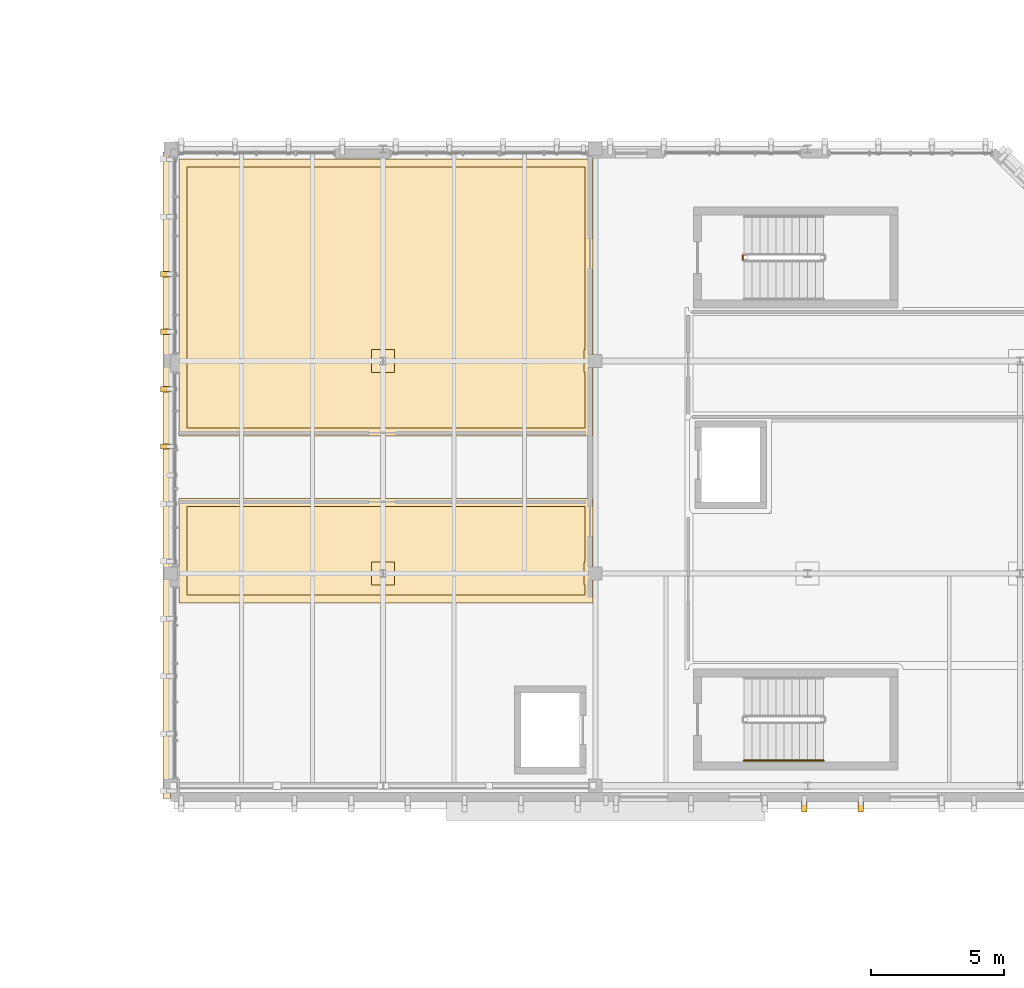
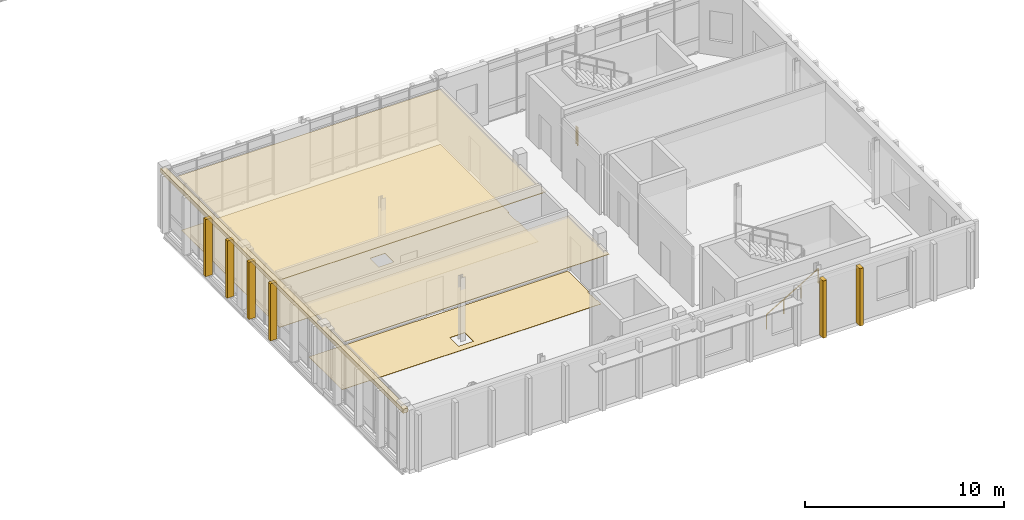
# One storey, part 35 of 40: 11 coverings, 2 railings.
"""IFC4 building model written with IfcOpenShell, lengths in metres."""

import ifcopenshell
import ifcopenshell.guid

model = None  # the IFC model being written
_history = None  # IfcOwnerHistory: only IFC2X3 demands one
_inside = {}  # id of a spatial element -> (the spatial element, [elements in it])
_under = {}  # id of a project, library or spatial element -> (it, [spatial elements below it])
_declared = {}  # id of a project -> (the project, [libraries it declares])
_typed = {}  # id of a type object -> (the type object, [elements of that type])
_made_of = {}  # id of a material, layer set ... -> (it, [elements and type objects made of it])


def new_model(schema):
    """Start an empty IFC model of exactly this schema.

    Asked for "IFC4X3", IfcOpenShell would pick the latest addendum, in which some entities
    have other attributes; the version numbers below select the first issue.
    IFC2X3 requires an IfcOwnerHistory on every rooted entity: one is made here for all.
    """
    global model, _history
    if schema == "IFC4X3":
        model = ifcopenshell.file(schema_version=(4, 3, 0, 0))
    else:
        model = ifcopenshell.file(schema=schema)
    _inside.clear()
    _under.clear()
    _declared.clear()
    _typed.clear()
    _made_of.clear()
    _history = None
    if model.schema == "IFC2X3":
        org = make("IfcOrganization", Name="unknown")
        user = make(
            "IfcPersonAndOrganization",
            ThePerson=make("IfcPerson", FamilyName="unknown"),
            TheOrganization=org,
        )
        app = make(
            "IfcApplication",
            ApplicationDeveloper=org,
            Version="unknown",
            ApplicationFullName="unknown",
            ApplicationIdentifier="unknown",
        )
        _history = make(
            "IfcOwnerHistory",
            OwningUser=user,
            OwningApplication=app,
            ChangeAction="ADDED",
            CreationDate=0,
        )
    return model


def make(cls, **values):
    """One entity of the class cls with the attributes given. An attribute that is None is left unset."""
    return model.create_entity(
        cls, **{name: value for name, value in values.items() if value is not None}
    )


def rooted(cls, **values):
    """An entity with a GlobalId (a new one), such as an element, a storey or a relation."""
    return make(cls, GlobalId=ifcopenshell.guid.new(), OwnerHistory=_history, **values)


def si_unit(unit_type, name, prefix=None):
    """IfcSIUnit, for example si_unit("LENGTHUNIT", "METRE", prefix="MILLI")."""
    return make("IfcSIUnit", UnitType=unit_type, Prefix=prefix, Name=name)


def assignment(units):
    """IfcUnitAssignment: the units of a project."""
    return None if units is None else make("IfcUnitAssignment", Units=units)


def point(xyz):
    """IfcCartesianPoint."""
    return None if xyz is None else make("IfcCartesianPoint", Coordinates=xyz)


def direction(xyz):
    """IfcDirection."""
    return None if xyz is None else make("IfcDirection", DirectionRatios=xyz)


def frame(location, z_axis=None, x_axis=None):
    """IfcAxis2Placement3D, a coordinate frame: its origin and axes. An axis left out is left unset."""
    return make(
        "IfcAxis2Placement3D",
        Location=point(location),
        Axis=direction(z_axis),
        RefDirection=direction(x_axis),
    )


def frame_2d(location, x_axis=None):
    """IfcAxis2Placement2D, a coordinate frame in the plane: its origin and x axis."""
    return make(
        "IfcAxis2Placement2D", Location=point(location), RefDirection=direction(x_axis)
    )


def origin():
    """The frame at (0, 0, 0) with its axes left unset."""
    return frame((0.0, 0.0, 0.0))


def origin_2d():
    """The frame at (0, 0) in the plane with its x axis left unset."""
    return frame_2d((0.0, 0.0))


def place(relative_to, where):
    """IfcLocalPlacement: puts the frame where relative to a parent placement (None: the world)."""
    return make(
        "IfcLocalPlacement", PlacementRelTo=relative_to, RelativePlacement=where
    )


def context(
    kind, dimensions, precision=None, world=None, true_north=None, identifier=None
):
    """IfcGeometricRepresentationContext, for example the 3D "Model" context."""
    return make(
        "IfcGeometricRepresentationContext",
        ContextIdentifier=identifier,
        ContextType=kind,
        CoordinateSpaceDimension=dimensions,
        Precision=precision,
        WorldCoordinateSystem=world,
        TrueNorth=true_north,
    )


def subcontext(parent, identifier, kind, view, scale=None):
    """IfcGeometricRepresentationSubContext, for example "Body" below "Model"."""
    return make(
        "IfcGeometricRepresentationSubContext",
        ContextIdentifier=identifier,
        ContextType=kind,
        ParentContext=parent,
        TargetScale=scale,
        TargetView=view,
    )


def project(units=None, contexts=None):
    """IfcProject with its units and contexts."""
    return rooted(
        "IfcProject",
        Name="project",
        RepresentationContexts=contexts,
        UnitsInContext=assignment(units),
    )


def spatial(cls, under=None, at=None, **own):
    """A site, building, storey or space (cls), placed at a placement, below another one or the project."""
    s = rooted(cls, ObjectPlacement=at, **own)
    if under is not None:
        _under.setdefault(under.id(), (under, []))[1].append(s)
    return s


def polyline(points):
    """IfcPolyline through the points."""
    return make("IfcPolyline", Points=[point(p) for p in points])


def profile(cls, at=None, kind="AREA", **sizes):
    """A parametric profile (cls). Its sizes go by their IFC names, for example OverallWidth=200.0."""
    return make(cls, ProfileType=kind, Position=at, **sizes)


def rectangle(**sizes):
    """IfcRectangleProfileDef."""
    return profile("IfcRectangleProfileDef", **sizes)


def circle(**sizes):
    """IfcCircleProfileDef."""
    return profile("IfcCircleProfileDef", **sizes)


def outline(outer, holes=None, kind="AREA"):
    """IfcArbitraryClosedProfileDef: a profile drawn as a closed curve; with holes, ...WithVoids."""
    if holes is None:
        return make("IfcArbitraryClosedProfileDef", ProfileType=kind, OuterCurve=outer)
    return make(
        "IfcArbitraryProfileDefWithVoids",
        ProfileType=kind,
        OuterCurve=outer,
        InnerCurves=holes,
    )


def extrude(swept, where, along, depth):
    """IfcExtrudedAreaSolid: the profile swept, set in the frame where, extruded along a direction by depth."""
    return make(
        "IfcExtrudedAreaSolid",
        SweptArea=swept,
        Position=where,
        ExtrudedDirection=direction(along),
        Depth=depth,
    )


def shape(context_of_items, identifier, shape_type, items):
    """IfcShapeRepresentation: the items that make up one representation, for example the "Body"."""
    return make(
        "IfcShapeRepresentation",
        ContextOfItems=context_of_items,
        RepresentationIdentifier=identifier,
        RepresentationType=shape_type,
        Items=items,
    )


def material(Name=None, Category=None):
    """IfcMaterial."""
    return make("IfcMaterial", Name=Name, Category=Category)


def layer(
    of_material, thickness, ventilated=None, Name=None, Category=None, Priority=None
):
    """IfcMaterialLayer: one layer of a wall or slab, of a material (None: an air gap)."""
    return make(
        "IfcMaterialLayer",
        Material=of_material,
        LayerThickness=thickness,
        IsVentilated=ventilated,
        Name=Name,
        Category=Category,
        Priority=Priority,
    )


def layer_set(layers, Name=None):
    """IfcMaterialLayerSet."""
    return make("IfcMaterialLayerSet", MaterialLayers=layers, LayerSetName=Name)


def made_of(thing, what):
    """Note that an element or type object is made of a material, layer set ...; save() writes the relation."""
    if what is not None:
        _made_of.setdefault(what.id(), (what, []))[1].append(thing)
    return thing


def type_object(cls, material=None, **own):
    """A type object (cls), such as IfcWallType, which elements share."""
    return made_of(rooted(cls, **own), material)


def element(
    cls,
    number,
    at=None,
    inside=None,
    cuts=None,
    type_object=None,
    material=None,
    context=None,
    identifier="Body",
    shape_type=None,
    held_by="IfcProductDefinitionShape",
    body=None,
    shapes=None,
    **own,
):
    """One element of the class cls, such as IfcWall. Its Tag is "e" and its number.

    at: its placement. inside: the storey or other place that contains it. cuts: it is an
    opening in that element (IfcRelVoidsElement). A single representation is given by context,
    identifier, shape_type and body (its items); several are given by shapes. held_by: the class
    of the entity that holds the representations. save() writes the other relations.
    """
    e = rooted(cls, Tag="e%d" % number, ObjectPlacement=at, **own)
    if body is not None:
        shapes = [shape(context, identifier, shape_type, body)]
    if shapes is not None:
        e.Representation = make(held_by, Representations=shapes)
    if inside is not None:
        _inside.setdefault(inside.id(), (inside, []))[1].append(e)
    if cuts is not None:
        rooted(
            "IfcRelVoidsElement", RelatingBuildingElement=cuts, RelatedOpeningElement=e
        )
    if type_object is not None:
        _typed.setdefault(type_object.id(), (type_object, []))[1].append(e)
    return made_of(e, material)


def aggregate(whole, parts):
    """IfcRelAggregates: a whole, such as a stair, and the parts it consists of."""
    return rooted("IfcRelAggregates", RelatingObject=whole, RelatedObjects=parts)


def save(model, path):
    """Write the relations noted so far, then the file.

    IfcRelAggregates (storeys below a building ...), IfcRelContainedInSpatialStructure (elements
    in a storey), IfcRelDefinesByType, IfcRelAssociatesMaterial and IfcRelDeclares: one each for
    every whole, place, type object, material and project.
    """
    for whole, parts in _under.values():
        aggregate(whole, parts)
    for where, things in _inside.values():
        rooted(
            "IfcRelContainedInSpatialStructure",
            RelatedElements=things,
            RelatingStructure=where,
        )
    for kind, things in _typed.values():
        rooted("IfcRelDefinesByType", RelatedObjects=things, RelatingType=kind)
    for what, things in _made_of.values():
        rooted("IfcRelAssociatesMaterial", RelatedObjects=things, RelatingMaterial=what)
    for by, libraries in _declared.values():
        rooted("IfcRelDeclares", RelatingContext=by, RelatedDefinitions=libraries)
    model.write(path)


model = new_model("IFC4")

# Units and contexts
model_context = context("Model", 3, precision=1e-05, world=origin(), true_north=direction((0.0, 1.0)))
body_context = subcontext(model_context, "Body", "Model", "MODEL_VIEW")
ifc_project = project(units=[si_unit("LENGTHUNIT", "METRE"), si_unit("AREAUNIT", "SQUARE_METRE"), si_unit("VOLUMEUNIT", "CUBIC_METRE"), si_unit("PLANEANGLEUNIT", "RADIAN"), si_unit("MASSUNIT", "GRAM", prefix="KILO")], contexts=[model_context])

# Site, building, storey
site_placement = place(None, origin())
site = spatial("IfcSite", under=ifc_project, at=site_placement, CompositionType="ELEMENT")
building_placement = place(site_placement, origin())
building = spatial("IfcBuilding", under=site, at=building_placement, Name="Cymarion Research Institute", CompositionType="ELEMENT")
storey_placement = place(building_placement, frame((0.0, 0.0, 26.699951171875)))
storey = spatial("IfcBuildingStorey", under=building, at=storey_placement, Name="L06", CompositionType="ELEMENT", Elevation=26.699951171875)

# Coverings
ifc_material_1 = material(Name="Micro-perforated mineral acoustic ceiling tile", Category="gypsum")
ifc_layer_1 = layer(ifc_material_1, 0.030029296875)
ifc_layer_set_1 = layer_set([ifc_layer_1], Name="Micro-perforated mineral acoustic ceiling tile")
covering_type_1 = type_object("IfcCoveringType", Name="ACOUSTIC MICRO-PERFORATED SUSPENDED CEILING CLG-01", PredefinedType="CEILING", material=ifc_layer_set_1)
covering_1_placement = place(storey_placement, frame((0.0, 0.0, 3.130126953125)))
element("IfcCovering", 1, at=covering_1_placement, inside=storey, type_object=covering_type_1, Name="L06 L06 Quantum Photonics & Ultrafast Laser Laboratory acoustic ceiling", PredefinedType="CEILING", context=body_context, shape_type="SweptSolid", body=[
    extrude(outline(polyline([(30.514892578125, 55.364990234375), (30.514892578125, 54.385009765625), (14.905029296875, 54.385009765625), (14.905029296875, 58.31494140625), (30.514892578125, 58.31494140625), (30.514892578125, 55.635009765625), (30.465087890625, 55.635009765625), (30.465087890625, 55.364990234375), (30.514892578125, 55.364990234375)])), origin(), (0.0, 0.0, 1.0), 0.030029296875),
])
covering_2_placement = place(storey_placement, frame((0.0, 0.0, 3.130126953125)))
element("IfcCovering", 2, at=covering_2_placement, inside=storey, type_object=covering_type_1, Name="L06 L06 Biophotonics & Sensor Prototyping Laboratory acoustic ceiling", PredefinedType="CEILING", context=body_context, shape_type="SweptSolid", body=[
    extrude(outline(polyline([(30.514892578125, 63.364990234375), (30.514892578125, 60.68505859375), (14.905029296875, 60.68505859375), (14.905029296875, 71.114990234375), (30.514892578125, 71.114990234375), (30.514892578125, 63.635009765625), (30.465087890625, 63.635009765625), (30.465087890625, 63.364990234375), (30.514892578125, 63.364990234375)])), origin(), (0.0, 0.0, 1.0), 0.030029296875),
])

# Railing
ifc_material_2 = material(Name="Steel S355", Category="steel")
railing_type_1 = type_object("IfcRailingType", Name="PAINTED STEEL STAIR GUARDRAIL GR1 1100MM", PredefinedType="GUARDRAIL", material=ifc_material_2)
railing_1_placement = place(storey_placement, frame((36.14990234375, 67.320068359375, 0.0)))
element("IfcRailing", 3, at=railing_1_placement, inside=storey, type_object=railing_type_1, Name="L06 ST8 stair guard 4", PredefinedType="GUARDRAIL", context=body_context, shape_type="SweptSolid", body=[
    extrude(circle(Radius=0.02392578125, at=origin_2d()), frame((0.0, 0.0, 1.076171875), z_axis=(0.0, 1.0, 0.0), x_axis=(-1.0, 0.0, 0.0)), (0.0, 0.0, 1.0), 0.159912109375),
    extrude(circle(Radius=0.02099609375, at=origin_2d()), origin(), (0.0, 0.0, 1.0), 1.052001953125),
    extrude(circle(Radius=0.02099609375, at=origin_2d()), frame((0.0, 0.159912109375, 0.0)), (0.0, 0.0, 1.0), 1.052001953125),
])

# Coverings
ifc_material_3 = material(Name="Precast concrete C45/55 architectural white", Category="concrete")
ifc_layer_2 = layer(ifc_material_3, 0.260009765625)
ifc_layer_set_2 = layer_set([ifc_layer_2], Name="Precast concrete C45/55 architectural white")
covering_type_2 = type_object("IfcCoveringType", Name="SCULPTURAL WHITE PRECAST CONCRETE SPANDREL BROW BAND RIB2 280MM", PredefinedType="CLADDING", material=ifc_layer_set_2)
covering_3_placement = place(storey_placement, frame((14.4580078125, 59.199951171875, 3.52001953125), z_axis=(0.0, 0.0, 1.0), x_axis=(-1.0, 0.0, 0.0)))
element("IfcCovering", 4, at=covering_3_placement, inside=storey, type_object=covering_type_2, Name="L06 V4 precast spandrel brow band RIB2 #1152", PredefinedType="CLADDING", context=body_context, shape_type="SweptSolid", body=[
    extrude(rectangle(XDim=0.280029296875, YDim=24.360107421875, at=origin_2d()), origin(), (0.0, 0.0, 1.0), 0.260009765625),
])
ifc_layer_3 = layer(ifc_material_3, 0.199951171875)
ifc_layer_set_3 = layer_set([ifc_layer_3], Name="Precast concrete C45/55 architectural white")
covering_type_3 = type_object("IfcCoveringType", Name="SCULPTURAL WHITE PRECAST CONCRETE VERTICAL RIB RIB1 380X200", PredefinedType="CLADDING", material=ifc_layer_set_3)
for number, where, z_axis, x_axis, name in (
    (5, (38.466796875, 46.7080078125, 0.010009765625), (0.0, 0.0, 1.0), (0.0, -1.0, 0.0), "L06 V4 sculptural precast vertical rib RIB1 #1114"),
    (6, (40.60009765625, 46.7080078125, 0.010009765625), (0.0, 0.0, 1.0), (0.0, -1.0, 0.0), "L06 V4 sculptural precast vertical rib RIB1 #1115"),
    (7, (14.407958984375, 66.772705078125, 0.010009765625), (0.0, 0.0, 1.0), (-1.0, 0.0, 0.0), "L06 V4 sculptural precast vertical rib RIB1 #1155"),
    (8, (14.407958984375, 64.609130859375, 0.010009765625), (0.0, 0.0, 1.0), (-1.0, 0.0, 0.0), "L06 V4 sculptural precast vertical rib RIB1 #1156"),
    (9, (14.407958984375, 62.445556640625, 0.010009765625), (0.0, 0.0, 1.0), (-1.0, 0.0, 0.0), "L06 V4 sculptural precast vertical rib RIB1 #1157"),
    (10, (14.407958984375, 60.28173828125, 0.010009765625), (0.0, 0.0, 1.0), (-1.0, 0.0, 0.0), "L06 V4 sculptural precast vertical rib RIB1 #1158"),
):
    element("IfcCovering", number, at=place(storey_placement, frame(where, z_axis=z_axis, x_axis=x_axis)), inside=storey, type_object=covering_type_3, Name=name, PredefinedType="CLADDING", context=body_context, shape_type="SweptSolid", body=[
        extrude(rectangle(XDim=0.3798828125, YDim=0.199951171875, at=origin_2d()), origin(), (0.0, 0.0, 1.0), 3.5048828125),
    ])
ifc_material_4 = material(Name="Seamless dissipative epoxy resin flooring", Category="resin")
ifc_layer_4 = layer(ifc_material_4, 0.02001953125)
ifc_layer_set_4 = layer_set([ifc_layer_4], Name="Seamless dissipative epoxy resin flooring")
covering_type_4 = type_object("IfcCoveringType", Name="SEAMLESS ESD EPOXY LABORATORY FLOORING FLR-01", PredefinedType="FLOORING", material=ifc_layer_set_4)
covering_4_placement = place(storey_placement, origin())
element("IfcCovering", 11, at=covering_4_placement, inside=storey, type_object=covering_type_4, Name="L06 L06 Quantum Photonics & Ultrafast Laser Laboratory ESD epoxy flooring", PredefinedType="FLOORING", context=body_context, shape_type="SweptSolid", body=[
    extrude(outline(polyline([(30.215087890625, 55.06494140625), (30.215087890625, 54.68505859375), (15.205078125, 54.68505859375), (15.205078125, 58.014892578125), (30.215087890625, 58.014892578125), (30.215087890625, 55.93505859375), (30.1650390625, 55.93505859375), (30.1650390625, 55.06494140625), (30.215087890625, 55.06494140625)]), holes=[polyline([(22.1650390625, 55.06494140625), (23.034912109375, 55.06494140625), (23.034912109375, 55.93505859375), (22.1650390625, 55.93505859375), (22.1650390625, 55.06494140625)])]), origin(), (0.0, 0.0, 1.0), 0.02001953125),
])
covering_5_placement = place(storey_placement, origin())
element("IfcCovering", 12, at=covering_5_placement, inside=storey, type_object=covering_type_4, Name="L06 L06 Biophotonics & Sensor Prototyping Laboratory ESD epoxy flooring", PredefinedType="FLOORING", context=body_context, shape_type="SweptSolid", body=[
    extrude(outline(polyline([(30.215087890625, 63.06494140625), (30.215087890625, 60.985107421875), (15.205078125, 60.985107421875), (15.205078125, 70.81494140625), (30.215087890625, 70.81494140625), (30.215087890625, 63.93505859375), (30.1650390625, 63.93505859375), (30.1650390625, 63.06494140625), (30.215087890625, 63.06494140625)]), holes=[polyline([(22.1650390625, 63.93505859375), (22.1650390625, 63.06494140625), (23.034912109375, 63.06494140625), (23.034912109375, 63.93505859375), (22.1650390625, 63.93505859375)])]), origin(), (0.0, 0.0, 1.0), 0.02001953125),
])

# Railing
railing_type_2 = type_object("IfcRailingType", Name="STAINLESS STEEL STAIR HANDRAIL HR1 900MM", PredefinedType="HANDRAIL", material=ifc_material_2)
railing_2_placement = place(storey_placement, frame((36.199951171875, 48.449951171875, 0.17724609375)))
element("IfcRailing", 13, at=railing_2_placement, inside=storey, type_object=railing_type_2, Name="L06 ST7 stair handrail 1", PredefinedType="HANDRAIL", context=body_context, shape_type="SweptSolid", body=[
    extrude(circle(Radius=0.02392578125, at=origin_2d()), frame((0.0, 0.0, 0.8759765625), z_axis=(0.86092931783, 0.0, 0.508724591208), x_axis=(0.0, 1.0, 0.0)), (0.0, 0.0, 1.0), 3.484619140625),
    extrude(circle(Radius=0.02099609375, at=origin_2d()), origin(), (0.0, 0.0, 1.0), 0.851806640625),
    extrude(circle(Radius=0.02099609375, at=origin_2d()), frame((1.0, 0.0, 0.5908203125)), (0.0, 0.0, 1.0), 0.851806640625),
    extrude(circle(Radius=0.02099609375, at=origin_2d()), frame((2.0, 0.0, 1.181884765625)), (0.0, 0.0, 1.0), 0.851806640625),
    extrude(circle(Radius=0.02099609375, at=origin_2d()), frame((3.0, 0.0, 1.772705078125)), (0.0, 0.0, 1.0), 0.851806640625),
])

save(model, "model.ifc")
